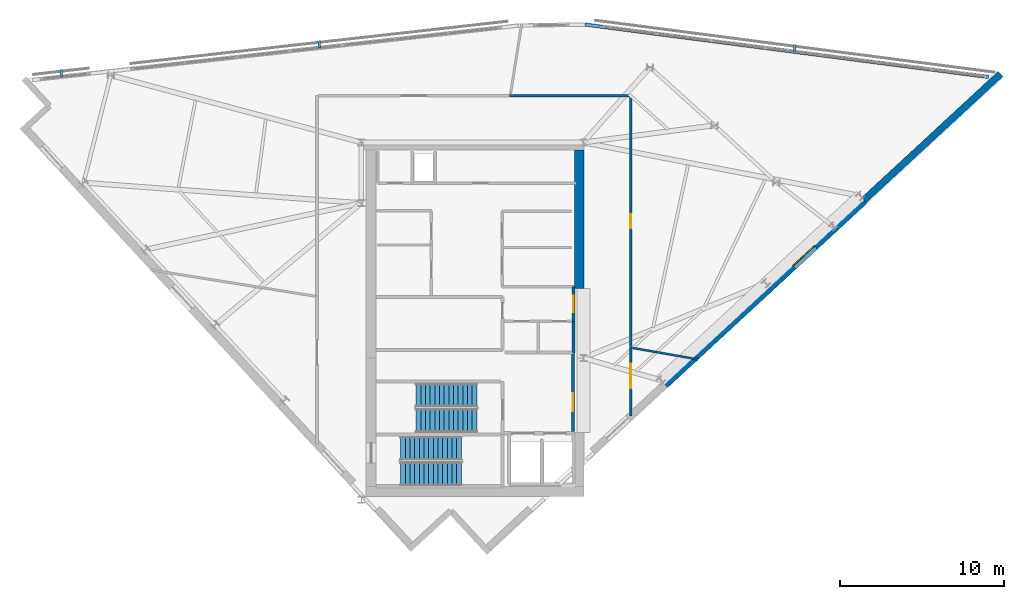
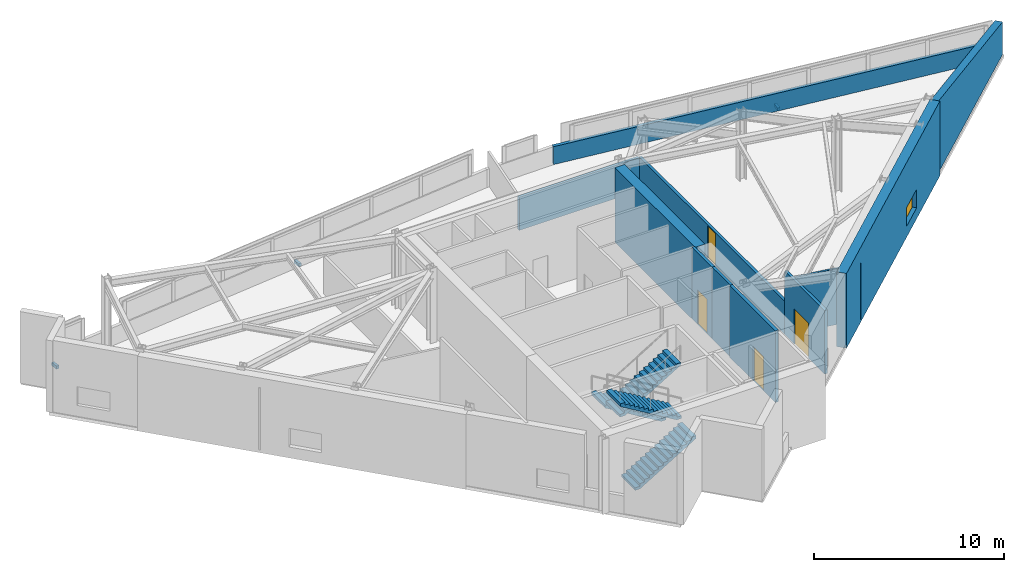
# One storey, part 10 of 12: 11 walls, 4 doors, 4 stair flights, 3 discrete accessories, 1 window, 5 openings, 2 elements without a shape of their own.
"""IFC4 building model written with IfcOpenShell, lengths in metres."""

import ifcopenshell
import ifcopenshell.guid

model = None  # the IFC model being written
_history = None  # IfcOwnerHistory: only IFC2X3 demands one
_inside = {}  # id of a spatial element -> (the spatial element, [elements in it])
_under = {}  # id of a project, library or spatial element -> (it, [spatial elements below it])
_declared = {}  # id of a project -> (the project, [libraries it declares])
_typed = {}  # id of a type object -> (the type object, [elements of that type])
_made_of = {}  # id of a material, layer set ... -> (it, [elements and type objects made of it])


def new_model(schema):
    """Start an empty IFC model of exactly this schema.

    Asked for "IFC4X3", IfcOpenShell would pick the latest addendum, in which some entities
    have other attributes; the version numbers below select the first issue.
    IFC2X3 requires an IfcOwnerHistory on every rooted entity: one is made here for all.
    """
    global model, _history
    if schema == "IFC4X3":
        model = ifcopenshell.file(schema_version=(4, 3, 0, 0))
    else:
        model = ifcopenshell.file(schema=schema)
    _inside.clear()
    _under.clear()
    _declared.clear()
    _typed.clear()
    _made_of.clear()
    _history = None
    if model.schema == "IFC2X3":
        org = make("IfcOrganization", Name="unknown")
        user = make(
            "IfcPersonAndOrganization",
            ThePerson=make("IfcPerson", FamilyName="unknown"),
            TheOrganization=org,
        )
        app = make(
            "IfcApplication",
            ApplicationDeveloper=org,
            Version="unknown",
            ApplicationFullName="unknown",
            ApplicationIdentifier="unknown",
        )
        _history = make(
            "IfcOwnerHistory",
            OwningUser=user,
            OwningApplication=app,
            ChangeAction="ADDED",
            CreationDate=0,
        )
    return model


def make(cls, **values):
    """One entity of the class cls with the attributes given. An attribute that is None is left unset."""
    return model.create_entity(
        cls, **{name: value for name, value in values.items() if value is not None}
    )


def rooted(cls, **values):
    """An entity with a GlobalId (a new one), such as an element, a storey or a relation."""
    return make(cls, GlobalId=ifcopenshell.guid.new(), OwnerHistory=_history, **values)


def si_unit(unit_type, name, prefix=None):
    """IfcSIUnit, for example si_unit("LENGTHUNIT", "METRE", prefix="MILLI")."""
    return make("IfcSIUnit", UnitType=unit_type, Prefix=prefix, Name=name)


def assignment(units):
    """IfcUnitAssignment: the units of a project."""
    return None if units is None else make("IfcUnitAssignment", Units=units)


def point(xyz):
    """IfcCartesianPoint."""
    return None if xyz is None else make("IfcCartesianPoint", Coordinates=xyz)


def direction(xyz):
    """IfcDirection."""
    return None if xyz is None else make("IfcDirection", DirectionRatios=xyz)


def frame(location, z_axis=None, x_axis=None):
    """IfcAxis2Placement3D, a coordinate frame: its origin and axes. An axis left out is left unset."""
    return make(
        "IfcAxis2Placement3D",
        Location=point(location),
        Axis=direction(z_axis),
        RefDirection=direction(x_axis),
    )


def frame_2d(location, x_axis=None):
    """IfcAxis2Placement2D, a coordinate frame in the plane: its origin and x axis."""
    return make(
        "IfcAxis2Placement2D", Location=point(location), RefDirection=direction(x_axis)
    )


def origin():
    """The frame at (0, 0, 0) with its axes left unset."""
    return frame((0.0, 0.0, 0.0))


def origin_2d():
    """The frame at (0, 0) in the plane with its x axis left unset."""
    return frame_2d((0.0, 0.0))


def place(relative_to, where):
    """IfcLocalPlacement: puts the frame where relative to a parent placement (None: the world)."""
    return make(
        "IfcLocalPlacement", PlacementRelTo=relative_to, RelativePlacement=where
    )


def context(
    kind, dimensions, precision=None, world=None, true_north=None, identifier=None
):
    """IfcGeometricRepresentationContext, for example the 3D "Model" context."""
    return make(
        "IfcGeometricRepresentationContext",
        ContextIdentifier=identifier,
        ContextType=kind,
        CoordinateSpaceDimension=dimensions,
        Precision=precision,
        WorldCoordinateSystem=world,
        TrueNorth=true_north,
    )


def subcontext(parent, identifier, kind, view, scale=None):
    """IfcGeometricRepresentationSubContext, for example "Body" below "Model"."""
    return make(
        "IfcGeometricRepresentationSubContext",
        ContextIdentifier=identifier,
        ContextType=kind,
        ParentContext=parent,
        TargetScale=scale,
        TargetView=view,
    )


def project(units=None, contexts=None):
    """IfcProject with its units and contexts."""
    return rooted(
        "IfcProject",
        Name="project",
        RepresentationContexts=contexts,
        UnitsInContext=assignment(units),
    )


def spatial(cls, under=None, at=None, **own):
    """A site, building, storey or space (cls), placed at a placement, below another one or the project."""
    s = rooted(cls, ObjectPlacement=at, **own)
    if under is not None:
        _under.setdefault(under.id(), (under, []))[1].append(s)
    return s


def polyline(points):
    """IfcPolyline through the points."""
    return make("IfcPolyline", Points=[point(p) for p in points])


def profile(cls, at=None, kind="AREA", **sizes):
    """A parametric profile (cls). Its sizes go by their IFC names, for example OverallWidth=200.0."""
    return make(cls, ProfileType=kind, Position=at, **sizes)


def rectangle(**sizes):
    """IfcRectangleProfileDef."""
    return profile("IfcRectangleProfileDef", **sizes)


def outline(outer, holes=None, kind="AREA"):
    """IfcArbitraryClosedProfileDef: a profile drawn as a closed curve; with holes, ...WithVoids."""
    if holes is None:
        return make("IfcArbitraryClosedProfileDef", ProfileType=kind, OuterCurve=outer)
    return make(
        "IfcArbitraryProfileDefWithVoids",
        ProfileType=kind,
        OuterCurve=outer,
        InnerCurves=holes,
    )


def extrude(swept, where, along, depth):
    """IfcExtrudedAreaSolid: the profile swept, set in the frame where, extruded along a direction by depth."""
    return make(
        "IfcExtrudedAreaSolid",
        SweptArea=swept,
        Position=where,
        ExtrudedDirection=direction(along),
        Depth=depth,
    )


def shape(context_of_items, identifier, shape_type, items):
    """IfcShapeRepresentation: the items that make up one representation, for example the "Body"."""
    return make(
        "IfcShapeRepresentation",
        ContextOfItems=context_of_items,
        RepresentationIdentifier=identifier,
        RepresentationType=shape_type,
        Items=items,
    )


def material(Name=None, Category=None):
    """IfcMaterial."""
    return make("IfcMaterial", Name=Name, Category=Category)


def layer(
    of_material, thickness, ventilated=None, Name=None, Category=None, Priority=None
):
    """IfcMaterialLayer: one layer of a wall or slab, of a material (None: an air gap)."""
    return make(
        "IfcMaterialLayer",
        Material=of_material,
        LayerThickness=thickness,
        IsVentilated=ventilated,
        Name=Name,
        Category=Category,
        Priority=Priority,
    )


def layer_set(layers, Name=None):
    """IfcMaterialLayerSet."""
    return make("IfcMaterialLayerSet", MaterialLayers=layers, LayerSetName=Name)


def made_of(thing, what):
    """Note that an element or type object is made of a material, layer set ...; save() writes the relation."""
    if what is not None:
        _made_of.setdefault(what.id(), (what, []))[1].append(thing)
    return thing


def type_object(cls, material=None, **own):
    """A type object (cls), such as IfcWallType, which elements share."""
    return made_of(rooted(cls, **own), material)


def element(
    cls,
    number,
    at=None,
    inside=None,
    cuts=None,
    type_object=None,
    material=None,
    context=None,
    identifier="Body",
    shape_type=None,
    held_by="IfcProductDefinitionShape",
    body=None,
    shapes=None,
    **own,
):
    """One element of the class cls, such as IfcWall. Its Tag is "e" and its number.

    at: its placement. inside: the storey or other place that contains it. cuts: it is an
    opening in that element (IfcRelVoidsElement). A single representation is given by context,
    identifier, shape_type and body (its items); several are given by shapes. held_by: the class
    of the entity that holds the representations. save() writes the other relations.
    """
    e = rooted(cls, Tag="e%d" % number, ObjectPlacement=at, **own)
    if body is not None:
        shapes = [shape(context, identifier, shape_type, body)]
    if shapes is not None:
        e.Representation = make(held_by, Representations=shapes)
    if inside is not None:
        _inside.setdefault(inside.id(), (inside, []))[1].append(e)
    if cuts is not None:
        rooted(
            "IfcRelVoidsElement", RelatingBuildingElement=cuts, RelatedOpeningElement=e
        )
    if type_object is not None:
        _typed.setdefault(type_object.id(), (type_object, []))[1].append(e)
    return made_of(e, material)


def fill(opening, filler):
    """IfcRelFillsElement: the door or window that sits in an opening."""
    return rooted(
        "IfcRelFillsElement",
        RelatingOpeningElement=opening,
        RelatedBuildingElement=filler,
    )


def aggregate(whole, parts):
    """IfcRelAggregates: a whole, such as a stair, and the parts it consists of."""
    return rooted("IfcRelAggregates", RelatingObject=whole, RelatedObjects=parts)


def save(model, path):
    """Write the relations noted so far, then the file.

    IfcRelAggregates (storeys below a building ...), IfcRelContainedInSpatialStructure (elements
    in a storey), IfcRelDefinesByType, IfcRelAssociatesMaterial and IfcRelDeclares: one each for
    every whole, place, type object, material and project.
    """
    for whole, parts in _under.values():
        aggregate(whole, parts)
    for where, things in _inside.values():
        rooted(
            "IfcRelContainedInSpatialStructure",
            RelatedElements=things,
            RelatingStructure=where,
        )
    for kind, things in _typed.values():
        rooted("IfcRelDefinesByType", RelatedObjects=things, RelatingType=kind)
    for what, things in _made_of.values():
        rooted("IfcRelAssociatesMaterial", RelatedObjects=things, RelatingMaterial=what)
    for by, libraries in _declared.values():
        rooted("IfcRelDeclares", RelatingContext=by, RelatedDefinitions=libraries)
    model.write(path)


model = new_model("IFC4")

# Units and contexts
model_context = context("Model", 3, precision=1e-05, world=origin(), true_north=direction((0.0, 1.0)))
body_context = subcontext(model_context, "Body", "Model", "MODEL_VIEW")
ifc_project = project(units=[si_unit("LENGTHUNIT", "METRE"), si_unit("AREAUNIT", "SQUARE_METRE"), si_unit("VOLUMEUNIT", "CUBIC_METRE"), si_unit("PLANEANGLEUNIT", "RADIAN"), si_unit("MASSUNIT", "GRAM", prefix="KILO")], contexts=[model_context])

# Site, building, storey
site_placement = place(None, origin())
site = spatial("IfcSite", under=ifc_project, at=site_placement, CompositionType="ELEMENT")
building_placement = place(site_placement, origin())
building = spatial("IfcBuilding", under=site, at=building_placement, Name="Narakoshi Arena Tower", CompositionType="ELEMENT")
storey_placement = place(building_placement, frame((0.0, 0.0, 307.780029296875)))
storey = spatial("IfcBuildingStorey", under=building, at=storey_placement, Name="L83", CompositionType="ELEMENT", Elevation=307.780029296875)

# Wall
ifc_material_1 = material(Name="Concrete C50/60", Category="concrete")
ifc_layer_1 = layer(ifc_material_1, 0.60009765625)
ifc_layer_set_1 = layer_set([ifc_layer_1], Name="Concrete C50/60")
wall_type_1 = type_object("IfcWallType", Name="WL-CORE-600", PredefinedType="SHEAR", material=ifc_layer_set_1)
wall_1_placement = place(storey_placement, frame((85.300048828125, 47.60009765625, -0.199951171875), z_axis=(0.0, 0.0, 1.0), x_axis=(0.0, 1.0, 0.0)))
element("IfcWall", 1, at=wall_1_placement, inside=storey, type_object=wall_type_1, Name="L83 Main Core Shear Wall CW-MN-E", PredefinedType="SHEAR", context=body_context, shape_type="SweptSolid", body=[
    extrude(rectangle(XDim=8.449951171875, YDim=0.60009765625, at=frame_2d((4.22509765625, 0.0))), origin(), (0.0, 0.0, 1.0), 4.7998046875),
])

# Wall, opening, door
ifc_material_2 = material(Name="Gypsum plasterboard fire-rated partition")
ifc_layer_2 = layer(ifc_material_2, 0.1650390625)
ifc_layer_set_2 = layer_set([ifc_layer_2], Name="Gypsum plasterboard fire-rated partition")
wall_type_2 = type_object("IfcWallType", Name="WL-CORR-165", PredefinedType="PARTITIONING", material=ifc_layer_set_2)
wall_2_placement = place(storey_placement, frame((84.949951171875, 45.580078125, 0.0), z_axis=(0.0, 0.0, 1.0), x_axis=(0.0, 1.0, 0.0)))
wall_2 = element("IfcWall", 2, at=wall_2_placement, inside=storey, type_object=wall_type_2, Name="L83 Core Wall CPAS-E", PredefinedType="PARTITIONING", context=body_context, shape_type="SweptSolid", body=[
    extrude(rectangle(XDim=2.119873046875, YDim=0.1650390625, at=frame_2d((1.06005859375, 0.0))), origin(), (0.0, 0.0, 1.0), 4.599853515625),
])
opening_1_placement = place(wall_2_placement, frame((0.56005859375, 0.0, 0.0)))
opening_1 = element("IfcOpeningElement", 3, at=opening_1_placement, cuts=wall_2, Name="Opening D-06", PredefinedType="OPENING", context=body_context, shape_type="SweptSolid", body=[
    extrude(rectangle(XDim=1.0, YDim=2.199951171875, at=frame_2d((0.5, 1.10009765625))), frame((0.0, 0.092529296875, 0.0), z_axis=(0.0, -1.0, 0.0), x_axis=(1.0, 0.0, 0.0)), (0.0, 0.0, 1.0), 0.18505859375),
])
ifc_material_3 = material(Name="Stained oak solid-core timber", Category="wood")
door_type_1 = type_object("IfcDoorType", Name="DR-OFF-1000", OperationType="NOTDEFINED", PredefinedType="DOOR", material=ifc_material_3)
door_1_placement = place(opening_1_placement, frame((1.0, 0.0, 0.0), z_axis=(0.0, 0.0, 1.0), x_axis=(-1.0, 0.0, 0.0)))
door_1 = element("IfcDoor", 4, at=door_1_placement, inside=storey, type_object=door_type_1, Name="DR-L83-007", OperationType="SINGLE_SWING_LEFT", OverallHeight=2.199951171875, OverallWidth=1.0, PredefinedType="DOOR", context=body_context, shape_type="SweptSolid", body=[
    extrude(rectangle(XDim=1.0, YDim=2.199951171875, at=frame_2d((0.5, 1.10009765625))), frame((0.0, 0.02490234375, 0.0), z_axis=(0.0, -1.0, 0.0), x_axis=(1.0, 0.0, 0.0)), (0.0, 0.0, 1.0), 0.050048828125),
])
fill(opening_1, door_1)

wall_3_placement = place(storey_placement, frame((88.449951171875, 39.81689453125, 0.0), z_axis=(0.0, 0.0, 1.0), x_axis=(0.0, 1.0, 0.0)))
wall_3 = element("IfcWall", 5, at=wall_3_placement, inside=storey, type_object=wall_type_2, Name="L83 Corridor Partition 02-1", PredefinedType="PARTITIONING", context=body_context, shape_type="SweptSolid", body=[
    extrude(rectangle(XDim=4.19921875, YDim=0.1650390625, at=frame_2d((2.099609375, 0.0))), origin(), (0.0, 0.0, 1.0), 4.0849609375),
])
opening_2_placement = place(wall_3_placement, frame((1.694580078125, 0.0, 0.0)))
opening_2 = element("IfcOpeningElement", 6, at=opening_2_placement, cuts=wall_3, Name="Opening D-09", PredefinedType="OPENING", context=body_context, shape_type="SweptSolid", body=[
    extrude(rectangle(XDim=1.5, YDim=2.25, at=frame_2d((0.75, 1.125))), frame((0.0, 0.092529296875, 0.0), z_axis=(0.0, -1.0, 0.0), x_axis=(1.0, 0.0, 0.0)), (0.0, 0.0, 1.0), 0.18505859375),
])
ifc_material_4 = material(Name="Painted galvanized steel", Category="steel")
door_type_2 = type_object("IfcDoorType", Name="DR-PLT-1500", OperationType="DOUBLE_DOOR_SINGLE_SWING", PredefinedType="DOOR", material=ifc_material_4)
door_2_placement = place(opening_2_placement, frame((1.5, 0.0, 0.0), z_axis=(0.0, 0.0, 1.0), x_axis=(-1.0, 0.0, 0.0)))
door_2 = element("IfcDoor", 7, at=door_2_placement, inside=storey, type_object=door_type_2, Name="DR-L83-017", OperationType="DOUBLE_DOOR_SINGLE_SWING", OverallHeight=2.25, OverallWidth=1.5, PredefinedType="DOOR", context=body_context, shape_type="SweptSolid", body=[
    extrude(rectangle(XDim=1.5, YDim=2.25, at=frame_2d((0.75, 1.125))), frame((0.0, 0.02490234375, 0.0), z_axis=(0.0, -1.0, 0.0), x_axis=(1.0, 0.0, 0.0)), (0.0, 0.0, 1.0), 0.050048828125),
])
fill(opening_2, door_2)

wall_4_placement = place(storey_placement, frame((88.449951171875, 44.04052734375, 0.0), z_axis=(0.0, 0.0, 1.0), x_axis=(0.0, 1.0, 0.0)))
wall_4 = element("IfcWall", 8, at=wall_4_placement, inside=storey, type_object=wall_type_2, Name="L83 Corridor Partition 03-1", PredefinedType="PARTITIONING", context=body_context, shape_type="SweptSolid", body=[
    extrude(rectangle(XDim=15.3095703125, YDim=0.1650390625, at=frame_2d((7.65478515625, 0.0))), origin(), (0.0, 0.0, 1.0), 2.119873046875),
])
opening_3_placement = place(wall_4_placement, frame((7.229736328125, 0.0, 0.0)))
opening_3 = element("IfcOpeningElement", 9, at=opening_3_placement, cuts=wall_4, Name="Opening D-10", PredefinedType="OPENING", context=body_context, shape_type="SweptSolid", body=[
    extrude(rectangle(XDim=0.85009765625, YDim=2.050048828125, at=frame_2d((0.425048828125, 1.02490234375))), frame((0.0, 0.092529296875, 0.0), z_axis=(0.0, -1.0, 0.0), x_axis=(1.0, 0.0, 0.0)), (0.0, 0.0, 1.0), 0.18505859375),
])
door_type_3 = type_object("IfcDoorType", Name="DR-RSR-850", OperationType="NOTDEFINED", PredefinedType="DOOR", material=ifc_material_4)
door_3_placement = place(opening_3_placement, frame((0.85009765625, 0.0, 0.0), z_axis=(0.0, 0.0, 1.0), x_axis=(-1.0, 0.0, 0.0)))
door_3 = element("IfcDoor", 10, at=door_3_placement, inside=storey, type_object=door_type_3, Name="DR-L83-018", OperationType="SINGLE_SWING_LEFT", OverallHeight=2.050048828125, OverallWidth=0.85009765625, PredefinedType="DOOR", context=body_context, shape_type="SweptSolid", body=[
    extrude(rectangle(XDim=0.85009765625, YDim=2.050048828125, at=frame_2d((0.425048828125, 1.02490234375))), frame((0.0, 0.02490234375, 0.0), z_axis=(0.0, -1.0, 0.0), x_axis=(1.0, 0.0, 0.0)), (0.0, 0.0, 1.0), 0.050048828125),
])
fill(opening_3, door_3)

# Wall
wall_5_placement = place(storey_placement, frame((88.35546875, 59.35009765625, 0.0), z_axis=(0.0, 0.0, 1.0), x_axis=(-1.0, 0.0, 0.0)))
element("IfcWall", 11, at=wall_5_placement, inside=storey, type_object=wall_type_2, Name="L83 Corridor Partition 03-2", PredefinedType="PARTITIONING", context=body_context, shape_type="SweptSolid", body=[
    extrude(rectangle(XDim=7.303955078125, YDim=0.1650390625, at=frame_2d((3.65185546875, 0.0))), origin(), (0.0, 0.0, 1.0), 2.119873046875),
])

# Wall, opening, window
ifc_layer_3 = layer(ifc_material_1, 0.550048828125)
ifc_layer_set_3 = layer_set([ifc_layer_3], Name="Concrete C50/60")
wall_type_3 = type_object("IfcWallType", Name="WL-LEG-550", PredefinedType="SHEAR", material=ifc_layer_set_3)
wall_6_placement = place(storey_placement, frame((90.5078125, 41.739501953125, -0.199951171875), z_axis=(0.0, 0.0, 1.0), x_axis=(0.734315848115, 0.678807951638, 0.0)))
wall_6 = element("IfcWall", 12, at=wall_6_placement, inside=storey, type_object=wall_type_3, Name="L83 Architectural Concrete Structural Wall LEGA-3", PredefinedType="SHEAR", context=body_context, shape_type="SweptSolid", body=[
    extrude(outline(polyline([(0.0, 0.0), (16.57275390625, 0.0), (16.572998046875, 4.7998046875), (0.0, 4.7998046875), (0.0, 0.0)])), frame((0.0, 0.27490234375, 0.0), z_axis=(0.0, -1.0, 0.0), x_axis=(1.0, 0.0, 0.0)), (0.0, 0.0, 1.0), 0.550048828125),
])
opening_4_placement = place(wall_6_placement, frame((10.654052734375, 0.0, 0.699951171875)))
opening_4 = element("IfcOpeningElement", 13, at=opening_4_placement, cuts=wall_6, Name="Opening WN-05", PredefinedType="OPENING", context=body_context, shape_type="SweptSolid", body=[
    extrude(rectangle(XDim=1.800048828125, YDim=1.199951171875, at=frame_2d((0.89990234375, 0.60009765625))), frame((0.0, 0.284912109375, 0.0), z_axis=(0.0, -1.0, 0.0), x_axis=(1.0, 0.0, 0.0)), (0.0, 0.0, 1.0), 0.570068359375),
])
ifc_material_5 = material(Name="Bronze-tinted low-E laminated glass", Category="glass")
window_type = type_object("IfcWindowType", Name="WIN-SLT-18x12", PartitioningType="SINGLE_PANEL", PredefinedType="WINDOW", material=ifc_material_5)
window_placement = place(opening_4_placement, origin())
window = element("IfcWindow", 14, at=window_placement, inside=storey, type_object=window_type, Name="L83 LEGA3 Horizontal Slot Window 1", OverallHeight=1.199951171875, OverallWidth=1.800048828125, PartitioningType="SINGLE_PANEL", PredefinedType="WINDOW", context=body_context, shape_type="SweptSolid", body=[
    extrude(rectangle(XDim=1.800048828125, YDim=1.199951171875, at=frame_2d((0.89990234375, 0.60009765625))), frame((0.0, 0.030029296875, 0.0), z_axis=(0.0, -1.0, 0.0), x_axis=(1.0, 0.0, 0.0)), (0.0, 0.0, 1.0), 0.06005859375),
])
fill(opening_4, window)

# Walls
ifc_material_6 = material(Name="Precast concrete C45/55", Category="concrete")
ifc_layer_4 = layer(ifc_material_6, 0.25)
ifc_layer_set_4 = layer_set([ifc_layer_4], Name="Precast concrete C45/55")
wall_type_4 = type_object("IfcWallType", Name="WL-PARA-250", PredefinedType="PARAPET", material=ifc_layer_set_4)
wall_7_placement = place(storey_placement, frame((85.638916015625, 63.690185546875, 0.0), z_axis=(0.0, 0.0, 1.0), x_axis=(0.991659272886, -0.128887107573, 0.0)))
element("IfcWall", 15, at=wall_7_placement, inside=storey, type_object=wall_type_4, Name="L83 Crown Sill Upstand Parapet 05", PredefinedType="PARAPET", context=body_context, shape_type="SweptSolid", body=[
    extrude(rectangle(XDim=24.8427734375, YDim=0.199951171875, at=frame_2d((12.42138671875, 0.0))), origin(), (0.0, 0.0, 1.0), 1.14990234375),
])
ifc_layer_5 = layer(ifc_material_2, 0.125)
ifc_layer_set_5 = layer_set([ifc_layer_5], Name="Gypsum plasterboard fire-rated partition")
wall_type_5 = type_object("IfcWallType", Name="WL-PART-125", PredefinedType="PARTITIONING", material=ifc_layer_set_5)
wall_8_placement = place(storey_placement, frame((88.54443359375, 43.96337890625, 0.0), z_axis=(0.0, 0.0, 1.0), x_axis=(0.985023854279, -0.172418115352, 0.0)))
element("IfcWall", 16, at=wall_8_placement, inside=storey, type_object=wall_type_5, Name="L83 Inter-Room Partition 02-03", PredefinedType="PARTITIONING", context=body_context, shape_type="SweptSolid", body=[
    extrude(rectangle(XDim=4.0751953125, YDim=0.125, at=frame_2d((2.03759765625, 0.0))), origin(), (0.0, 0.0, 1.0), 3.5849609375),
])
ifc_layer_6 = layer(ifc_material_6, 0.419921875)
ifc_layer_set_6 = layer_set([ifc_layer_6], Name="Precast concrete C45/55")
wall_type_6 = type_object("IfcWallType", Name="WL-POD-420", PredefinedType="SOLIDWALL", material=ifc_layer_set_6)
wall_9_placement = place(storey_placement, frame((102.677490234375, 52.9892578125, 0.0), z_axis=(0.0, 0.0, 1.0), x_axis=(0.734336866513, 0.678785213805, 0.0)))
element("IfcWall", 17, at=wall_9_placement, inside=storey, type_object=wall_type_6, Name="L83 Architectural Concrete Facade Wall LEGA-4", PredefinedType="SOLIDWALL", context=body_context, shape_type="SweptSolid", body=[
    extrude(outline(polyline([(0.0, 0.0), (11.338623046875, 0.0), (11.338623046875, 2.094970703125), (0.0, 4.599853515625), (0.0, 0.0)])), frame((0.0, 0.2099609375, 0.0), z_axis=(0.0, -1.0, 0.0), x_axis=(1.0, 0.0, 0.0)), (0.0, 0.0, 1.0), 0.419921875),
])
ifc_material_7 = material(Name="Concrete C40/50", Category="concrete")
ifc_layer_7 = layer(ifc_material_7, 0.280029296875)
ifc_layer_set_7 = layer_set([ifc_layer_7], Name="Concrete C40/50")
wall_type_7 = type_object("IfcWallType", Name="WL-RISER-280", PredefinedType="PLUMBINGWALL", material=ifc_layer_set_7)
wall_10_placement = place(storey_placement, frame((84.949951171875, 43.679931640625, 0.0), z_axis=(0.0, 0.0, 1.0), x_axis=(0.0, 1.0, 0.0)))
element("IfcWall", 18, at=wall_10_placement, inside=storey, type_object=wall_type_7, Name="L83 Core Wall RSR-E", PredefinedType="PLUMBINGWALL", context=body_context, shape_type="SweptSolid", body=[
    extrude(rectangle(XDim=1.900146484375, YDim=0.1650390625, at=frame_2d((0.9501953125, 0.0))), origin(), (0.0, 0.0, 1.0), 4.599853515625),
])

# Wall, opening, door
ifc_layer_8 = layer(ifc_material_1, 0.35009765625)
ifc_layer_set_8 = layer_set([ifc_layer_8], Name="Concrete C50/60")
wall_type_8 = type_object("IfcWallType", Name="WL-SHAFT-350", PredefinedType="SOLIDWALL", material=ifc_layer_set_8)
wall_11_placement = place(storey_placement, frame((84.919921875, 38.85009765625, 0.0), z_axis=(0.0, 0.0, 1.0), x_axis=(0.0, 1.0, 0.0)))
wall_11 = element("IfcWall", 19, at=wall_11_placement, inside=storey, type_object=wall_type_8, Name="L83 Core Wall FFLOB-E", PredefinedType="SOLIDWALL", context=body_context, shape_type="SweptSolid", body=[
    extrude(rectangle(XDim=4.829833984375, YDim=0.199951171875, at=frame_2d((2.4150390625, 0.0))), origin(), (0.0, 0.0, 1.0), 4.599853515625),
])
opening_5_placement = place(wall_11_placement, frame((1.25, 0.0, 0.0)))
opening_5 = element("IfcOpeningElement", 20, at=opening_5_placement, cuts=wall_11, Name="Opening D-04", PredefinedType="OPENING", context=body_context, shape_type="SweptSolid", body=[
    extrude(rectangle(XDim=1.10009765625, YDim=2.199951171875, at=frame_2d((0.550048828125, 1.10009765625))), frame((0.0, 0.10986328125, 0.0), z_axis=(0.0, -1.0, 0.0), x_axis=(1.0, 0.0, 0.0)), (0.0, 0.0, 1.0), 0.219970703125),
])
door_type_4 = type_object("IfcDoorType", Name="DR-FFL-1100", OperationType="NOTDEFINED", PredefinedType="DOOR", material=ifc_material_4)
door_4_placement = place(opening_5_placement, frame((1.10009765625, 0.0, 0.0), z_axis=(0.0, 0.0, 1.0), x_axis=(-1.0, 0.0, 0.0)))
door_4 = element("IfcDoor", 21, at=door_4_placement, inside=storey, type_object=door_type_4, Name="DR-L83-005", OperationType="SINGLE_SWING_RIGHT", OverallHeight=2.199951171875, OverallWidth=1.10009765625, PredefinedType="DOOR", context=body_context, shape_type="SweptSolid", body=[
    extrude(rectangle(XDim=1.10009765625, YDim=2.199951171875, at=frame_2d((0.550048828125, 1.10009765625))), frame((0.0, 0.02490234375, 0.0), z_axis=(0.0, -1.0, 0.0), x_axis=(1.0, 0.0, 0.0)), (0.0, 0.0, 1.0), 0.050048828125),
])
fill(opening_5, door_4)

# Stair, stair flights
ifc_material_8 = material(Name="Concrete C45/55", Category="concrete")
stair_type = type_object("IfcStairType", Name="STR-CRN-480", PredefinedType="TWO_STRAIGHT_RUN_STAIR", material=ifc_material_8)
stair_1_placement = place(storey_placement, origin())
stair_1 = element("IfcStair", 22, at=stair_1_placement, inside=storey, type_object=stair_type, Name="L83 Core Escape Stair ST1", PredefinedType="TWO_STRAIGHT_RUN_STAIR")
stair_flight_type = type_object("IfcStairFlightType", Name="FLT-135-160", PredefinedType="STRAIGHT", material=ifc_material_6)
stair_flight_1_placement = place(storey_placement, frame((74.39990234375, 36.27490234375, 0.0), z_axis=(0.0, 0.0, 1.0), x_axis=(1.0, 0.0, 0.0)))
stair_flight_1 = element("IfcStairFlight", 23, at=stair_flight_1_placement, type_object=stair_flight_type, Name="ST1 flight 1", NumberOfRisers=14, NumberOfTreads=13, PredefinedType="STRAIGHT", RiserHeight=0.171428571, TreadLength=0.285, context=body_context, shape_type="SweptSolid", body=[
    extrude(outline(polyline([(0.0, 0.0), (0.0, 0.17138671875), (0.284912109375, 0.17138671875), (0.284912109375, 0.3427734375), (0.570068359375, 0.3427734375), (0.570068359375, 0.514404296875), (0.85498046875, 0.514404296875), (0.85498046875, 0.685791015625), (1.139892578125, 0.685791015625), (1.139892578125, 0.857177734375), (1.425048828125, 0.857177734375), (1.425048828125, 1.028564453125), (1.7099609375, 1.028564453125), (1.7099609375, 1.199951171875), (1.9951171875, 1.199951171875), (1.9951171875, 1.371337890625), (2.280029296875, 1.371337890625), (2.280029296875, 1.54296875), (2.56494140625, 1.54296875), (2.56494140625, 1.71435546875), (2.85009765625, 1.71435546875), (2.85009765625, 1.8857421875), (3.135009765625, 1.8857421875), (3.135009765625, 2.05712890625), (3.419921875, 2.05712890625), (3.419921875, 2.228515625), (3.705078125, 2.228515625), (3.705078125, 2.39990234375), (3.705078125, 2.0537109375), (0.290771484375, 0.0), (0.0, 0.0)])), frame((0.0, 0.72509765625, 0.0), z_axis=(0.0, -1.0, 0.0), x_axis=(1.0, 0.0, 0.0)), (0.0, 0.0, 1.0), 1.449951171875),
])
stair_flight_2_placement = place(storey_placement, frame((78.10498046875, 37.824951171875, 2.39990234375), z_axis=(0.0, 0.0, 1.0), x_axis=(-1.0, 0.0, 0.0)))
stair_flight_2 = element("IfcStairFlight", 24, at=stair_flight_2_placement, type_object=stair_flight_type, Name="ST1 flight 2", NumberOfRisers=14, NumberOfTreads=13, PredefinedType="STRAIGHT", RiserHeight=0.171428571, TreadLength=0.285, context=body_context, shape_type="SweptSolid", body=[
    extrude(outline(polyline([(0.0, 0.0), (0.0, 0.17138671875), (0.284912109375, 0.17138671875), (0.284912109375, 0.3427734375), (0.570068359375, 0.3427734375), (0.570068359375, 0.514404296875), (0.85498046875, 0.514404296875), (0.85498046875, 0.685791015625), (1.139892578125, 0.685791015625), (1.139892578125, 0.857177734375), (1.425048828125, 0.857177734375), (1.425048828125, 1.028564453125), (1.7099609375, 1.028564453125), (1.7099609375, 1.199951171875), (1.9951171875, 1.199951171875), (1.9951171875, 1.371337890625), (2.280029296875, 1.371337890625), (2.280029296875, 1.54296875), (2.56494140625, 1.54296875), (2.56494140625, 1.71435546875), (2.85009765625, 1.71435546875), (2.85009765625, 1.8857421875), (3.135009765625, 1.8857421875), (3.135009765625, 2.05712890625), (3.419921875, 2.05712890625), (3.419921875, 2.228515625), (3.705078125, 2.228515625), (3.705078125, 2.39990234375), (3.705078125, 2.0537109375), (0.290771484375, 0.0), (0.0, 0.0)])), frame((0.0, 0.72509765625, 0.0), z_axis=(0.0, -1.0, 0.0), x_axis=(1.0, 0.0, 0.0)), (0.0, 0.0, 1.0), 1.449951171875),
])
aggregate(stair_1, [stair_flight_1, stair_flight_2])

stair_2_placement = place(storey_placement, origin())
stair_2 = element("IfcStair", 25, at=stair_2_placement, inside=storey, type_object=stair_type, Name="L83 Core Escape Stair ST2", PredefinedType="TWO_STRAIGHT_RUN_STAIR")
stair_flight_3_placement = place(storey_placement, frame((79.050048828125, 41.074951171875, 0.0), z_axis=(0.0, 0.0, 1.0), x_axis=(-1.0, 0.0, 0.0)))
stair_flight_3 = element("IfcStairFlight", 26, at=stair_flight_3_placement, type_object=stair_flight_type, Name="ST2 flight 1", NumberOfRisers=14, NumberOfTreads=13, PredefinedType="STRAIGHT", RiserHeight=0.171428571, TreadLength=0.285, context=body_context, shape_type="SweptSolid", body=[
    extrude(outline(polyline([(0.0, 0.0), (0.0, 0.17138671875), (0.284912109375, 0.17138671875), (0.284912109375, 0.3427734375), (0.570068359375, 0.3427734375), (0.570068359375, 0.514404296875), (0.85498046875, 0.514404296875), (0.85498046875, 0.685791015625), (1.139892578125, 0.685791015625), (1.139892578125, 0.857177734375), (1.425048828125, 0.857177734375), (1.425048828125, 1.028564453125), (1.7099609375, 1.028564453125), (1.7099609375, 1.199951171875), (1.9951171875, 1.199951171875), (1.9951171875, 1.371337890625), (2.280029296875, 1.371337890625), (2.280029296875, 1.54296875), (2.56494140625, 1.54296875), (2.56494140625, 1.71435546875), (2.85009765625, 1.71435546875), (2.85009765625, 1.8857421875), (3.135009765625, 1.8857421875), (3.135009765625, 2.05712890625), (3.419921875, 2.05712890625), (3.419921875, 2.228515625), (3.705078125, 2.228515625), (3.705078125, 2.39990234375), (3.705078125, 2.0537109375), (0.290771484375, 0.0), (0.0, 0.0)])), frame((0.0, 0.72509765625, 0.0), z_axis=(0.0, -1.0, 0.0), x_axis=(1.0, 0.0, 0.0)), (0.0, 0.0, 1.0), 1.449951171875),
])
stair_flight_4_placement = place(storey_placement, frame((75.344970703125, 39.52490234375, 2.39990234375), z_axis=(0.0, 0.0, 1.0), x_axis=(1.0, 0.0, 0.0)))
stair_flight_4 = element("IfcStairFlight", 27, at=stair_flight_4_placement, type_object=stair_flight_type, Name="ST2 flight 2", NumberOfRisers=14, NumberOfTreads=13, PredefinedType="STRAIGHT", RiserHeight=0.171428571, TreadLength=0.285, context=body_context, shape_type="SweptSolid", body=[
    extrude(outline(polyline([(0.0, 0.0), (0.0, 0.17138671875), (0.284912109375, 0.17138671875), (0.284912109375, 0.3427734375), (0.570068359375, 0.3427734375), (0.570068359375, 0.514404296875), (0.85498046875, 0.514404296875), (0.85498046875, 0.685791015625), (1.139892578125, 0.685791015625), (1.139892578125, 0.857177734375), (1.425048828125, 0.857177734375), (1.425048828125, 1.028564453125), (1.7099609375, 1.028564453125), (1.7099609375, 1.199951171875), (1.9951171875, 1.199951171875), (1.9951171875, 1.371337890625), (2.280029296875, 1.371337890625), (2.280029296875, 1.54296875), (2.56494140625, 1.54296875), (2.56494140625, 1.71435546875), (2.85009765625, 1.71435546875), (2.85009765625, 1.8857421875), (3.135009765625, 1.8857421875), (3.135009765625, 2.05712890625), (3.419921875, 2.05712890625), (3.419921875, 2.228515625), (3.705078125, 2.228515625), (3.705078125, 2.39990234375), (3.705078125, 2.0537109375), (0.290771484375, 0.0), (0.0, 0.0)])), frame((0.0, 0.72509765625, 0.0), z_axis=(0.0, -1.0, 0.0), x_axis=(1.0, 0.0, 0.0)), (0.0, 0.0, 1.0), 1.449951171875),
])
aggregate(stair_2, [stair_flight_3, stair_flight_4])

# Discrete accessories
ifc_material_9 = material(Name="Structural steel S355J2", Category="steel")
discrete_accessory_type = type_object("IfcDiscreteAccessoryType", Name="ACC-BRK-SCR", PredefinedType="BRACKET", material=ifc_material_9)
for number, where, z_axis, x_axis, name in (
    (28, (53.699951171875, 60.722900390625, -0.080078125), (0.0, 0.0, 1.0), (0.993775698738, 0.111399553846, 0.0), "L83 Solar Screen Support Bracket SHD-L83-CRNSCR6S1"),
    (29, (69.438232421875, 62.487060546875, -0.080078125), (0.0, 0.0, 1.0), (0.993775698738, 0.111399553846, 0.0), "L83 Solar Screen Support Bracket SHD-L83-CRNSCR6S2"),
    (30, (98.44140625, 62.248046875, -0.080078125), (0.0, 0.0, 1.0), (0.991657669502, -0.128899443432, 0.0), "L83 Solar Screen Support Bracket SHD-L83-CRNSCR8S1"),
):
    element("IfcDiscreteAccessory", number, at=place(storey_placement, frame(where, z_axis=z_axis, x_axis=x_axis)), inside=storey, type_object=discrete_accessory_type, Name=name, PredefinedType="BRACKET", context=body_context, shape_type="SweptSolid", body=[
        extrude(rectangle(XDim=0.159912109375, YDim=0.43994140625, at=origin_2d()), origin(), (0.0, 0.0, 1.0), 0.199951171875),
    ])

save(model, "model.ifc")
